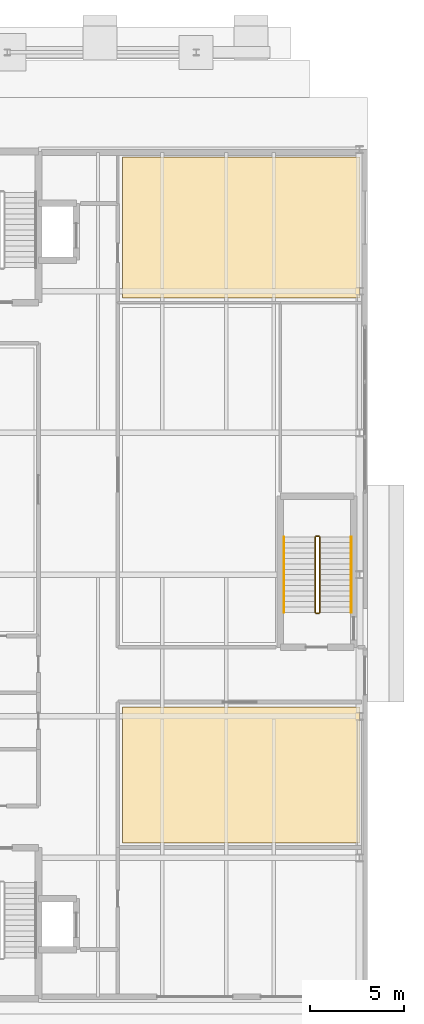
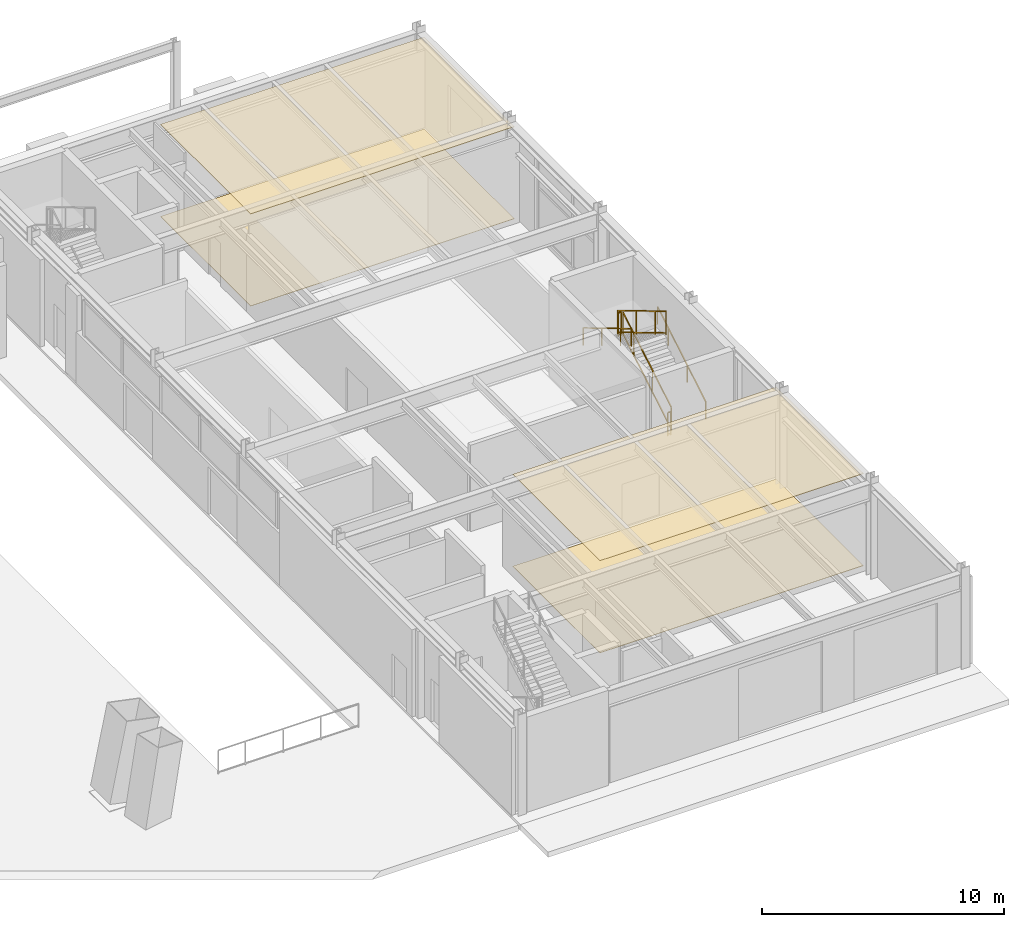
# One storey, part 21 of 21: 6 railings, 4 coverings.
"""IFC4 building model written with IfcOpenShell, lengths in metres."""

from ifc_helpers import new_model, si_unit, direction, frame, origin, origin_2d, place, context, subcontext, project, spatial, polyline, rectangle, outline, extrude, material, layer, layer_set, type_object, element, save


model = new_model("IFC4")

# Units and contexts
model_context = context("Model", 3, precision=1e-05, world=origin(), true_north=direction((0.0, 1.0)))
body_context = subcontext(model_context, "Body", "Model", "MODEL_VIEW")
ifc_project = project(units=[si_unit("LENGTHUNIT", "METRE"), si_unit("AREAUNIT", "SQUARE_METRE"), si_unit("VOLUMEUNIT", "CUBIC_METRE"), si_unit("PLANEANGLEUNIT", "RADIAN"), si_unit("MASSUNIT", "GRAM", prefix="KILO")], contexts=[model_context])

# Site, building, storey
site_placement = place(None, origin())
site = spatial("IfcSite", under=ifc_project, at=site_placement, CompositionType="ELEMENT")
building_placement = place(site_placement, origin())
building = spatial("IfcBuilding", under=site, at=building_placement, Name="Mersakhor Tower and Convention Hall", CompositionType="ELEMENT")
storey_placement = place(building_placement, origin())
storey = spatial("IfcBuildingStorey", under=building, at=storey_placement, Name="L00", CompositionType="ELEMENT", Elevation=0.0)

# Coverings
ifc_material_1 = material(Name="Acoustic mineral-fibre suspended ceiling", Category="other")
ifc_layer_1 = layer(ifc_material_1, 0.02490234375)
ifc_layer_set_1 = layer_set([ifc_layer_1], Name="Acoustic mineral-fibre suspended ceiling")
covering_type_1 = type_object("IfcCoveringType", Name="COV-CLG-25", PredefinedType="CEILING", material=ifc_layer_set_1)
covering_1_placement = place(storey_placement, frame((0.0, 0.0, 4.639892578125)))
element("IfcCovering", 1, at=covering_1_placement, inside=storey, type_object=covering_type_1, Name="L00 South Exhibition Gallery Hall Acoustic Suspended Ceiling", PredefinedType="CEILING", context=body_context, shape_type="SweptSolid", body=[
    extrude(outline(polyline([(64.10009765625, 18.75), (76.675048828125, 18.75), (76.675048828125, 11.550048828125), (64.10009765625, 11.550048828125), (64.10009765625, 18.75)])), origin(), (0.0, 0.0, 1.0), 0.025146484375),
])
covering_2_placement = place(storey_placement, frame((0.0, 0.0, 4.639892578125)))
element("IfcCovering", 2, at=covering_2_placement, inside=storey, type_object=covering_type_1, Name="L00 Delegate Registration and Media Suite Acoustic Suspended Ceiling", PredefinedType="CEILING", context=body_context, shape_type="SweptSolid", body=[
    extrude(outline(polyline([(64.10009765625, 40.39990234375), (64.10009765625, 47.85009765625), (76.675048828125, 47.85009765625), (76.675048828125, 40.39990234375), (64.10009765625, 40.39990234375)])), origin(), (0.0, 0.0, 1.0), 0.025146484375),
])
ifc_material_2 = material(Name="Polished porcelain tile flooring", Category="other")
ifc_layer_2 = layer(ifc_material_2, 0.02001953125)
ifc_layer_set_2 = layer_set([ifc_layer_2], Name="Polished porcelain tile flooring")
covering_type_2 = type_object("IfcCoveringType", Name="COV-FLR-20", PredefinedType="FLOORING", material=ifc_layer_set_2)
covering_3_placement = place(storey_placement, origin())
element("IfcCovering", 3, at=covering_3_placement, inside=storey, type_object=covering_type_2, Name="L00 South Exhibition Gallery Hall Porcelain Floor Finish", PredefinedType="FLOORING", context=body_context, shape_type="SweptSolid", body=[
    extrude(outline(polyline([(64.10009765625, 18.75), (76.675048828125, 18.75), (76.675048828125, 11.550048828125), (64.10009765625, 11.550048828125), (64.10009765625, 18.75)])), origin(), (0.0, 0.0, 1.0), 0.02001953125),
])
covering_4_placement = place(storey_placement, origin())
element("IfcCovering", 4, at=covering_4_placement, inside=storey, type_object=covering_type_2, Name="L00 Delegate Registration and Media Suite Porcelain Floor Finish", PredefinedType="FLOORING", context=body_context, shape_type="SweptSolid", body=[
    extrude(outline(polyline([(64.10009765625, 40.39990234375), (64.10009765625, 47.85009765625), (76.675048828125, 47.85009765625), (76.675048828125, 40.39990234375), (64.10009765625, 40.39990234375)])), origin(), (0.0, 0.0, 1.0), 0.02001953125),
])

# Railings
ifc_material_3 = material(Name="Brushed stainless steel handrail", Category="steel")
railing_type_1 = type_object("IfcRailingType", Name="RL-HR-900", PredefinedType="HANDRAIL", material=ifc_material_3)
railing_1_placement = place(storey_placement, frame((76.199951171875, 23.75, 0.169921875)))
element("IfcRailing", 5, at=railing_1_placement, inside=storey, type_object=railing_type_1, Name="L00 CH-ST3 stair handrail 1", PredefinedType="HANDRAIL", context=body_context, shape_type="SweptSolid", body=[
    extrude(rectangle(XDim=0.048095703125, YDim=0.048095703125, at=origin_2d()), frame((0.0, 0.0, 0.8759765625), z_axis=(0.0, 0.858806931142, 0.512299380267), x_axis=(-1.0, 0.0, 0.0)), (0.0, 0.0, 1.0), 4.64599609375),
    extrude(rectangle(XDim=0.0419921875, YDim=0.0419921875, at=origin_2d()), origin(), (0.0, 0.0, 1.0), 0.851806640625),
    extrude(rectangle(XDim=0.0419921875, YDim=0.0419921875, at=origin_2d()), frame((0.0, 1.5458984375, 0.922119140625)), (0.0, 0.0, 1.0), 0.851806640625),
    extrude(rectangle(XDim=0.0419921875, YDim=0.0419921875, at=origin_2d()), frame((0.0, 3.091796875, 1.84423828125)), (0.0, 0.0, 1.0), 0.851806640625),
    extrude(rectangle(XDim=0.0419921875, YDim=0.0419921875, at=origin_2d()), frame((0.0, 3.989990234375, 2.380126953125)), (0.0, 0.0, 1.0), 0.851806640625),
])
railing_2_placement = place(storey_placement, frame((72.64990234375, 27.739990234375, 2.719970703125)))
element("IfcRailing", 6, at=railing_2_placement, inside=storey, type_object=railing_type_1, Name="L00 CH-ST3 stair handrail 2", PredefinedType="HANDRAIL", context=body_context, shape_type="SweptSolid", body=[
    extrude(rectangle(XDim=0.048095703125, YDim=0.048095703125, at=origin_2d()), frame((0.0, 0.0, 0.8759765625), z_axis=(0.0, -0.858806931142, 0.512299380267), x_axis=(1.0, 0.0, 0.0)), (0.0, 0.0, 1.0), 4.64599609375),
    extrude(rectangle(XDim=0.0419921875, YDim=0.0419921875, at=origin_2d()), origin(), (0.0, 0.0, 1.0), 0.851806640625),
    extrude(rectangle(XDim=0.0419921875, YDim=0.0419921875, at=origin_2d()), frame((0.0, -1.5458984375, 0.922119140625)), (0.0, 0.0, 1.0), 0.851806640625),
    extrude(rectangle(XDim=0.0419921875, YDim=0.0419921875, at=origin_2d()), frame((0.0, -3.091796875, 1.84423828125)), (0.0, 0.0, 1.0), 0.851806640625),
    extrude(rectangle(XDim=0.0419921875, YDim=0.0419921875, at=origin_2d()), frame((0.0, -3.989990234375, 2.380126953125)), (0.0, 0.0, 1.0), 0.851806640625),
])
ifc_material_4 = material(Name="Painted steel stair balustrade S355", Category="steel")
railing_type_2 = type_object("IfcRailingType", Name="RL-STG-1200", PredefinedType="BALUSTRADE", material=ifc_material_4)
railing_3_placement = place(storey_placement, frame((74.550048828125, 23.75, 0.169921875)))
element("IfcRailing", 7, at=railing_3_placement, inside=storey, type_object=railing_type_2, Name="L00 CH-ST3 stair guard 1", PredefinedType="BALUSTRADE", context=body_context, shape_type="SweptSolid", body=[
    extrude(rectangle(XDim=0.048095703125, YDim=0.048095703125, at=origin_2d()), frame((0.0, 0.0, 1.17578125), z_axis=(0.0, 0.858806931142, 0.512299380267), x_axis=(-1.0, 0.0, 0.0)), (0.0, 0.0, 1.0), 4.64599609375),
    extrude(rectangle(XDim=0.048095703125, YDim=0.048095703125, at=origin_2d()), frame((0.0, 0.0, 0.080078125), z_axis=(0.0, 0.858806931142, 0.512299380267), x_axis=(-1.0, 0.0, 0.0)), (0.0, 0.0, 1.0), 4.64599609375),
    extrude(rectangle(XDim=0.0419921875, YDim=0.0419921875, at=origin_2d()), origin(), (0.0, 0.0, 1.0), 1.15185546875),
    extrude(rectangle(XDim=0.0419921875, YDim=0.0419921875, at=origin_2d()), frame((0.0, 1.5458984375, 0.922119140625)), (0.0, 0.0, 1.0), 1.15185546875),
    extrude(rectangle(XDim=0.0419921875, YDim=0.0419921875, at=origin_2d()), frame((0.0, 3.091796875, 1.84423828125)), (0.0, 0.0, 1.0), 1.15185546875),
    extrude(rectangle(XDim=0.0419921875, YDim=0.0419921875, at=origin_2d()), frame((0.0, 3.989990234375, 2.380126953125)), (0.0, 0.0, 1.0), 1.15185546875),
])
railing_4_placement = place(storey_placement, frame((74.5, 27.7900390625, 2.550048828125)))
element("IfcRailing", 8, at=railing_4_placement, inside=storey, type_object=railing_type_2, Name="L00 CH-ST3 stair guard 2", PredefinedType="BALUSTRADE", context=body_context, shape_type="SweptSolid", body=[
    extrude(rectangle(XDim=0.048095703125, YDim=0.048095703125, at=origin_2d()), frame((0.0, 0.0, 1.17578125), z_axis=(-1.0, 0.0, 0.0), x_axis=(0.0, -1.0, 0.0)), (0.0, 0.0, 1.0), 0.14990234375),
    extrude(rectangle(XDim=0.048095703125, YDim=0.048095703125, at=origin_2d()), frame((0.0, 0.0, 0.080078125), z_axis=(-1.0, 0.0, 0.0), x_axis=(0.0, -1.0, 0.0)), (0.0, 0.0, 1.0), 0.14990234375),
    extrude(rectangle(XDim=0.0419921875, YDim=0.0419921875, at=origin_2d()), origin(), (0.0, 0.0, 1.0), 1.15185546875),
    extrude(rectangle(XDim=0.0419921875, YDim=0.0419921875, at=origin_2d()), frame((-0.14990234375, 0.0, 0.0)), (0.0, 0.0, 1.0), 1.15185546875),
])
railing_5_placement = place(storey_placement, frame((74.300048828125, 27.739990234375, 2.719970703125)))
element("IfcRailing", 9, at=railing_5_placement, inside=storey, type_object=railing_type_2, Name="L00 CH-ST3 stair guard 3", PredefinedType="BALUSTRADE", context=body_context, shape_type="SweptSolid", body=[
    extrude(rectangle(XDim=0.048095703125, YDim=0.048095703125, at=origin_2d()), frame((0.0, 0.0, 1.17578125), z_axis=(0.0, -0.858806931142, 0.512299380267), x_axis=(1.0, 0.0, 0.0)), (0.0, 0.0, 1.0), 4.64599609375),
    extrude(rectangle(XDim=0.048095703125, YDim=0.048095703125, at=origin_2d()), frame((0.0, 0.0, 0.080078125), z_axis=(0.0, -0.858806931142, 0.512299380267), x_axis=(1.0, 0.0, 0.0)), (0.0, 0.0, 1.0), 4.64599609375),
    extrude(rectangle(XDim=0.0419921875, YDim=0.0419921875, at=origin_2d()), origin(), (0.0, 0.0, 1.0), 1.15185546875),
    extrude(rectangle(XDim=0.0419921875, YDim=0.0419921875, at=origin_2d()), frame((0.0, -1.5458984375, 0.922119140625)), (0.0, 0.0, 1.0), 1.15185546875),
    extrude(rectangle(XDim=0.0419921875, YDim=0.0419921875, at=origin_2d()), frame((0.0, -3.091796875, 1.84423828125)), (0.0, 0.0, 1.0), 1.15185546875),
    extrude(rectangle(XDim=0.0419921875, YDim=0.0419921875, at=origin_2d()), frame((0.0, -3.989990234375, 2.380126953125)), (0.0, 0.0, 1.0), 1.15185546875),
])
railing_6_placement = place(storey_placement, frame((74.5, 23.699951171875, 0.0)))
element("IfcRailing", 10, at=railing_6_placement, inside=storey, type_object=railing_type_2, Name="L00 CH-ST3 stair guard 4", PredefinedType="BALUSTRADE", context=body_context, shape_type="SweptSolid", body=[
    extrude(rectangle(XDim=0.048095703125, YDim=0.048095703125, at=origin_2d()), frame((0.0, 0.0, 1.17578125), z_axis=(-1.0, 0.0, 0.0), x_axis=(0.0, -1.0, 0.0)), (0.0, 0.0, 1.0), 0.14990234375),
    extrude(rectangle(XDim=0.048095703125, YDim=0.048095703125, at=origin_2d()), frame((0.0, 0.0, 0.080078125), z_axis=(-1.0, 0.0, 0.0), x_axis=(0.0, -1.0, 0.0)), (0.0, 0.0, 1.0), 0.14990234375),
    extrude(rectangle(XDim=0.0419921875, YDim=0.0419921875, at=origin_2d()), origin(), (0.0, 0.0, 1.0), 1.15185546875),
    extrude(rectangle(XDim=0.0419921875, YDim=0.0419921875, at=origin_2d()), frame((-0.14990234375, 0.0, 0.0)), (0.0, 0.0, 1.0), 1.15185546875),
])

save(model, "model.ifc")
